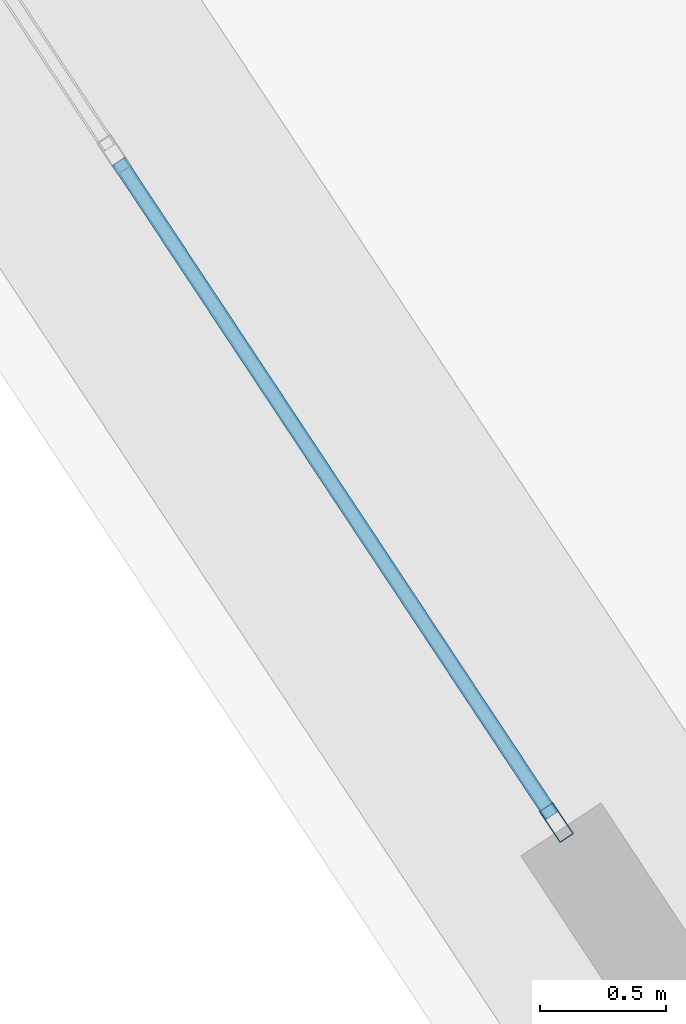
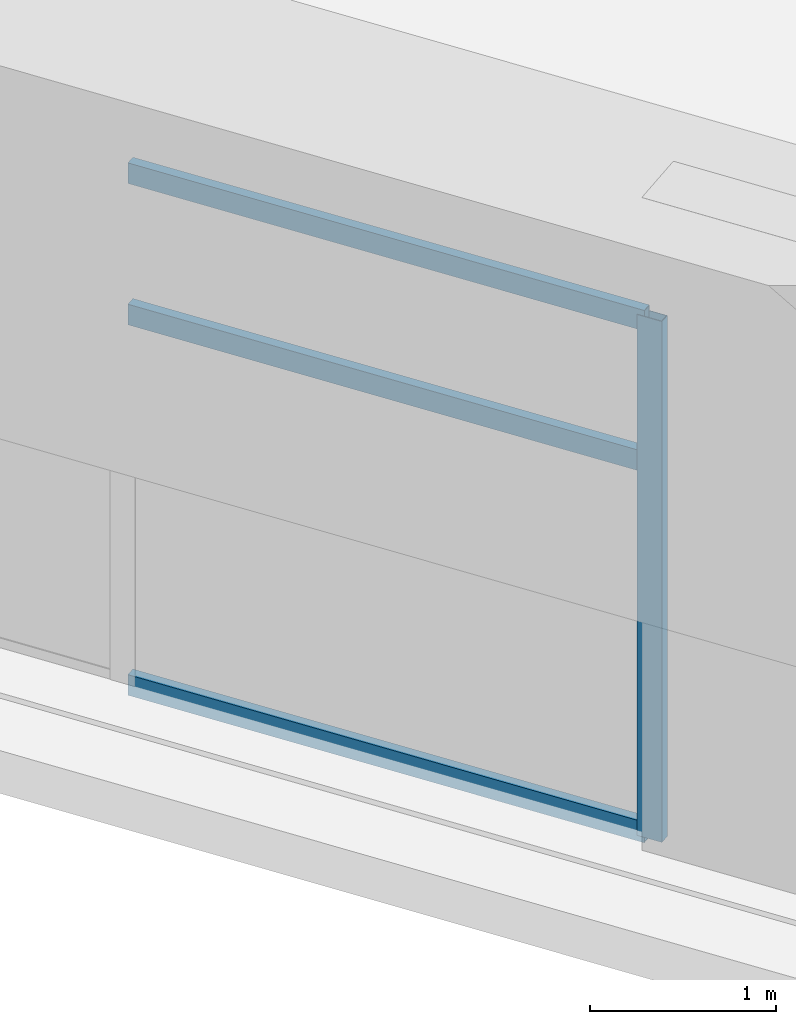
# One storey, part 2 of 39: 4 members, 1 element without a shape of its own.
"""IFC4 building model written with IfcOpenShell, lengths in metres."""

from ifc_helpers import new_model, si_unit, direction, frame, origin, origin_2d, place, context, subcontext, project, spatial, hollow_rectangle, extrude, source, transform, mapped, material, layer, layer_set, material_profile, profile_set, type_object, element, aggregate, save


model = new_model("IFC4")

# Units and contexts
model_context = context("Model", 3, precision=1e-05, world=origin(), true_north=direction((0.0, 1.0)))
body_context = subcontext(model_context, "Body", "Model", "MODEL_VIEW")
ifc_project = project(units=[si_unit("LENGTHUNIT", "METRE"), si_unit("AREAUNIT", "SQUARE_METRE"), si_unit("VOLUMEUNIT", "CUBIC_METRE"), si_unit("PLANEANGLEUNIT", "RADIAN"), si_unit("MASSUNIT", "GRAM", prefix="KILO")], contexts=[model_context])

# Site, building, storey
site_placement = place(None, origin())
site = spatial("IfcSite", under=ifc_project, at=site_placement, CompositionType="ELEMENT")
building_placement = place(site_placement, origin())
building = spatial("IfcBuilding", under=site, at=building_placement, Name="Liaohun Quay Tower", CompositionType="ELEMENT")
storey_placement = place(building_placement, frame((0.0, 0.0, 189.75)))
storey = spatial("IfcBuildingStorey", under=building, at=storey_placement, Name="L49", CompositionType="ELEMENT", Elevation=189.75)

# Curtain wall, members
ifc_material_1 = material(Name="Mid-height zone-break sky-lobby curtain wall")
ifc_layer = layer(ifc_material_1, 0.199951171875, Name="Mid-height zone-break sky-lobby curtain wall")
ifc_layer_set = layer_set([ifc_layer], Name="Mid-height zone-break sky-lobby curtain wall")
curtain_wall_type = type_object("IfcCurtainWallType", Name="CW-SKY-L49", PredefinedType="NOTDEFINED", material=ifc_layer_set)
curtain_wall_placement = place(storey_placement, origin())
curtain_wall = element("IfcCurtainWall", 1, at=curtain_wall_placement, inside=storey, type_object=curtain_wall_type, Name="L49 Panoramic Belvedere Curtain Wall 06", PredefinedType="NOTDEFINED")
ifc_material_2 = material(Name="Anodised aluminium 6063-T6", Category="aluminium")
ifc_material_profile_1 = material_profile(ifc_material_2, hollow_rectangle(XDim=0.06494140625, YDim=0.14990234375, WallThickness=0.00390625, at=origin_2d()), Name="RHS150x65x4")
ifc_profile_set_1 = profile_set([ifc_material_profile_1], Name="Anodised aluminium 6063-T6")
member_type_1 = type_object("IfcMemberType", Name="MEM-CWM-SKY", PredefinedType="MULLION", material=ifc_profile_set_1)
shared_shape_1 = source(origin(), body_context, "Body", "SweptSolid", [
    extrude(hollow_rectangle(XDim=0.06494140625, YDim=0.14990234375, WallThickness=0.00390625, at=origin_2d()), origin(), (0.0, 0.0, 1.0), 3.419921875),
])
member_1_placement = place(storey_placement, frame((47.56103515625, 28.214111328125, 0.0), z_axis=(0.0, 0.0, 1.0), x_axis=(0.833848660243, 0.551993126598, 0.0)))
member_1 = element("IfcMember", 2, at=member_1_placement, type_object=member_type_1, Name="CW4 mullion 3", PredefinedType="MULLION", context=body_context, shape_type="MappedRepresentation", body=[
    mapped(shared_shape_1, transform((0.0, 0.0, 0.0), x_axis=(1.0, 0.0, 0.0), y_axis=(0.0, 1.0, 0.0), z_axis=(0.0, 0.0, 1.0), scale=1.0)),
])
ifc_material_profile_2 = material_profile(ifc_material_2, hollow_rectangle(XDim=0.06005859375, YDim=0.135009765625, WallThickness=0.00390625, at=origin_2d()), Name="RHS135x60x4")
ifc_profile_set_2 = profile_set([ifc_material_profile_2], Name="Anodised aluminium 6063-T6")
member_type_2 = type_object("IfcMemberType", Name="MEM-CWT-SKY", PredefinedType="USERDEFINED", material=ifc_profile_set_2)
shared_shape_2 = source(origin(), body_context, "Body", "SweptSolid", [
    extrude(hollow_rectangle(XDim=0.06005859375, YDim=0.135009765625, WallThickness=0.00390625, at=origin_2d()), origin(), (0.0, 0.0, 1.0), 3.102783203125),
])
member_2_placement = place(storey_placement, frame((45.830322265625, 30.828369140625, 0.030029296875), z_axis=(0.552046338044, -0.833813432761, 0.0), x_axis=(0.833813432761, 0.552046338044, 0.0)))
member_2 = element("IfcMember", 3, at=member_2_placement, type_object=member_type_2, Name="CW4 transom 2.1", ObjectType="TRANSOM", PredefinedType="USERDEFINED", context=body_context, shape_type="MappedRepresentation", body=[
    mapped(shared_shape_2, transform((0.0, 0.0, 0.0), x_axis=(1.0, 0.0, 0.0), y_axis=(0.0, 1.0, 0.0), z_axis=(0.0, 0.0, 1.0), scale=1.0)),
])
member_3_placement = place(storey_placement, frame((45.830322265625, 30.828369140625, 2.4619140625), z_axis=(0.552046338044, -0.833813432761, 0.0), x_axis=(0.833813432761, 0.552046338044, 0.0)))
member_3 = element("IfcMember", 4, at=member_3_placement, type_object=member_type_2, Name="CW4 transom 2.2", ObjectType="TRANSOM", PredefinedType="USERDEFINED", context=body_context, shape_type="MappedRepresentation", body=[
    mapped(shared_shape_2, transform((0.0, 0.0, 0.0), x_axis=(1.0, 0.0, 0.0), y_axis=(0.0, 1.0, 0.0), z_axis=(0.0, 0.0, 1.0), scale=1.0)),
])
member_4_placement = place(storey_placement, frame((45.830322265625, 30.828369140625, 3.389892578125), z_axis=(0.552046338044, -0.833813432761, 0.0), x_axis=(0.833813432761, 0.552046338044, 0.0)))
member_4 = element("IfcMember", 5, at=member_4_placement, type_object=member_type_2, Name="CW4 transom 2.3", ObjectType="TRANSOM", PredefinedType="USERDEFINED", context=body_context, shape_type="MappedRepresentation", body=[
    mapped(shared_shape_2, transform((0.0, 0.0, 0.0), x_axis=(1.0, 0.0, 0.0), y_axis=(0.0, 1.0, 0.0), z_axis=(0.0, 0.0, 1.0), scale=1.0)),
])
aggregate(curtain_wall, [member_1, member_2, member_3, member_4])

save(model, "model.ifc")
